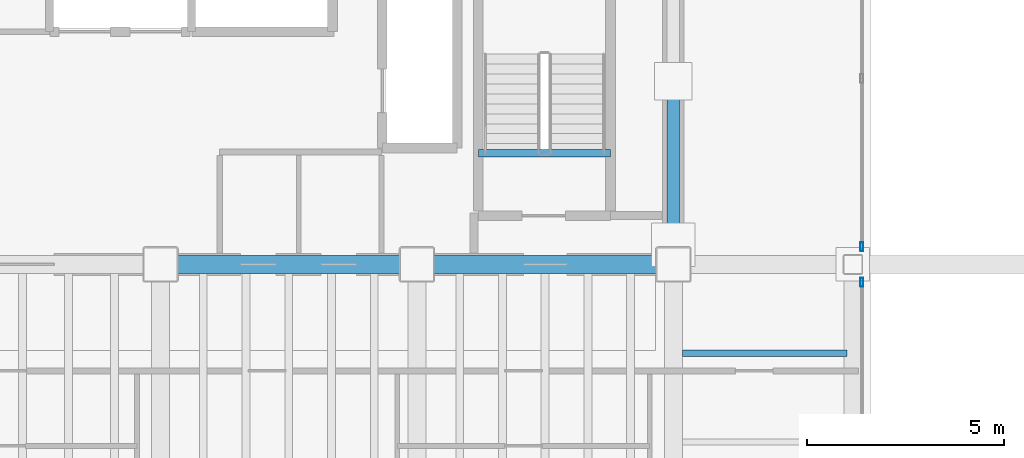
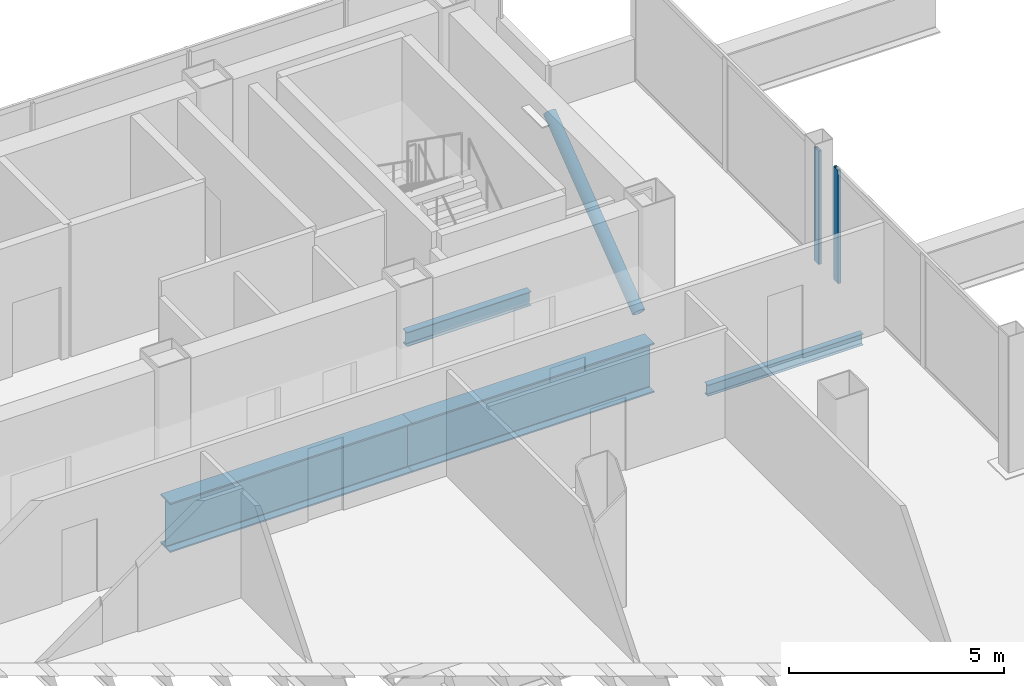
# One storey, part 18 of 24: 4 beams, 3 members, 2 elements without a shape of their own.
"""IFC4 building model written with IfcOpenShell, lengths in metres."""

import ifcopenshell
import ifcopenshell.guid

model = None  # the IFC model being written
_history = None  # IfcOwnerHistory: only IFC2X3 demands one
_inside = {}  # id of a spatial element -> (the spatial element, [elements in it])
_under = {}  # id of a project, library or spatial element -> (it, [spatial elements below it])
_declared = {}  # id of a project -> (the project, [libraries it declares])
_typed = {}  # id of a type object -> (the type object, [elements of that type])
_made_of = {}  # id of a material, layer set ... -> (it, [elements and type objects made of it])


def new_model(schema):
    """Start an empty IFC model of exactly this schema.

    Asked for "IFC4X3", IfcOpenShell would pick the latest addendum, in which some entities
    have other attributes; the version numbers below select the first issue.
    IFC2X3 requires an IfcOwnerHistory on every rooted entity: one is made here for all.
    """
    global model, _history
    if schema == "IFC4X3":
        model = ifcopenshell.file(schema_version=(4, 3, 0, 0))
    else:
        model = ifcopenshell.file(schema=schema)
    _inside.clear()
    _under.clear()
    _declared.clear()
    _typed.clear()
    _made_of.clear()
    _history = None
    if model.schema == "IFC2X3":
        org = make("IfcOrganization", Name="unknown")
        user = make(
            "IfcPersonAndOrganization",
            ThePerson=make("IfcPerson", FamilyName="unknown"),
            TheOrganization=org,
        )
        app = make(
            "IfcApplication",
            ApplicationDeveloper=org,
            Version="unknown",
            ApplicationFullName="unknown",
            ApplicationIdentifier="unknown",
        )
        _history = make(
            "IfcOwnerHistory",
            OwningUser=user,
            OwningApplication=app,
            ChangeAction="ADDED",
            CreationDate=0,
        )
    return model


def make(cls, **values):
    """One entity of the class cls with the attributes given. An attribute that is None is left unset."""
    return model.create_entity(
        cls, **{name: value for name, value in values.items() if value is not None}
    )


def rooted(cls, **values):
    """An entity with a GlobalId (a new one), such as an element, a storey or a relation."""
    return make(cls, GlobalId=ifcopenshell.guid.new(), OwnerHistory=_history, **values)


def si_unit(unit_type, name, prefix=None):
    """IfcSIUnit, for example si_unit("LENGTHUNIT", "METRE", prefix="MILLI")."""
    return make("IfcSIUnit", UnitType=unit_type, Prefix=prefix, Name=name)


def assignment(units):
    """IfcUnitAssignment: the units of a project."""
    return None if units is None else make("IfcUnitAssignment", Units=units)


def point(xyz):
    """IfcCartesianPoint."""
    return None if xyz is None else make("IfcCartesianPoint", Coordinates=xyz)


def direction(xyz):
    """IfcDirection."""
    return None if xyz is None else make("IfcDirection", DirectionRatios=xyz)


def frame(location, z_axis=None, x_axis=None):
    """IfcAxis2Placement3D, a coordinate frame: its origin and axes. An axis left out is left unset."""
    return make(
        "IfcAxis2Placement3D",
        Location=point(location),
        Axis=direction(z_axis),
        RefDirection=direction(x_axis),
    )


def frame_2d(location, x_axis=None):
    """IfcAxis2Placement2D, a coordinate frame in the plane: its origin and x axis."""
    return make(
        "IfcAxis2Placement2D", Location=point(location), RefDirection=direction(x_axis)
    )


def origin():
    """The frame at (0, 0, 0) with its axes left unset."""
    return frame((0.0, 0.0, 0.0))


def origin_2d():
    """The frame at (0, 0) in the plane with its x axis left unset."""
    return frame_2d((0.0, 0.0))


def place(relative_to, where):
    """IfcLocalPlacement: puts the frame where relative to a parent placement (None: the world)."""
    return make(
        "IfcLocalPlacement", PlacementRelTo=relative_to, RelativePlacement=where
    )


def context(
    kind, dimensions, precision=None, world=None, true_north=None, identifier=None
):
    """IfcGeometricRepresentationContext, for example the 3D "Model" context."""
    return make(
        "IfcGeometricRepresentationContext",
        ContextIdentifier=identifier,
        ContextType=kind,
        CoordinateSpaceDimension=dimensions,
        Precision=precision,
        WorldCoordinateSystem=world,
        TrueNorth=true_north,
    )


def subcontext(parent, identifier, kind, view, scale=None):
    """IfcGeometricRepresentationSubContext, for example "Body" below "Model"."""
    return make(
        "IfcGeometricRepresentationSubContext",
        ContextIdentifier=identifier,
        ContextType=kind,
        ParentContext=parent,
        TargetScale=scale,
        TargetView=view,
    )


def project(units=None, contexts=None):
    """IfcProject with its units and contexts."""
    return rooted(
        "IfcProject",
        Name="project",
        RepresentationContexts=contexts,
        UnitsInContext=assignment(units),
    )


def spatial(cls, under=None, at=None, **own):
    """A site, building, storey or space (cls), placed at a placement, below another one or the project."""
    s = rooted(cls, ObjectPlacement=at, **own)
    if under is not None:
        _under.setdefault(under.id(), (under, []))[1].append(s)
    return s


def profile(cls, at=None, kind="AREA", **sizes):
    """A parametric profile (cls). Its sizes go by their IFC names, for example OverallWidth=200.0."""
    return make(cls, ProfileType=kind, Position=at, **sizes)


def hollow_rectangle(**sizes):
    """IfcRectangleHollowProfileDef."""
    return profile("IfcRectangleHollowProfileDef", **sizes)


def hollow_circle(**sizes):
    """IfcCircleHollowProfileDef."""
    return profile("IfcCircleHollowProfileDef", **sizes)


def i_section(**sizes):
    """IfcIShapeProfileDef."""
    return profile("IfcIShapeProfileDef", **sizes)


def extrude(swept, where, along, depth):
    """IfcExtrudedAreaSolid: the profile swept, set in the frame where, extruded along a direction by depth."""
    return make(
        "IfcExtrudedAreaSolid",
        SweptArea=swept,
        Position=where,
        ExtrudedDirection=direction(along),
        Depth=depth,
    )


def shape(context_of_items, identifier, shape_type, items):
    """IfcShapeRepresentation: the items that make up one representation, for example the "Body"."""
    return make(
        "IfcShapeRepresentation",
        ContextOfItems=context_of_items,
        RepresentationIdentifier=identifier,
        RepresentationType=shape_type,
        Items=items,
    )


def material(Name=None, Category=None):
    """IfcMaterial."""
    return make("IfcMaterial", Name=Name, Category=Category)


def material_profile(
    of_material, cross_section, Name=None, Category=None, Priority=None
):
    """IfcMaterialProfile: a cross section and its material."""
    return make(
        "IfcMaterialProfile",
        Name=Name,
        Material=of_material,
        Profile=cross_section,
        Priority=Priority,
        Category=Category,
    )


def profile_set(profiles, Name=None, composite=None):
    """IfcMaterialProfileSet."""
    return make(
        "IfcMaterialProfileSet",
        Name=Name,
        MaterialProfiles=profiles,
        CompositeProfile=composite,
    )


def made_of(thing, what):
    """Note that an element or type object is made of a material, layer set ...; save() writes the relation."""
    if what is not None:
        _made_of.setdefault(what.id(), (what, []))[1].append(thing)
    return thing


def type_object(cls, material=None, **own):
    """A type object (cls), such as IfcWallType, which elements share."""
    return made_of(rooted(cls, **own), material)


def element(
    cls,
    number,
    at=None,
    inside=None,
    cuts=None,
    type_object=None,
    material=None,
    context=None,
    identifier="Body",
    shape_type=None,
    held_by="IfcProductDefinitionShape",
    body=None,
    shapes=None,
    **own,
):
    """One element of the class cls, such as IfcWall. Its Tag is "e" and its number.

    at: its placement. inside: the storey or other place that contains it. cuts: it is an
    opening in that element (IfcRelVoidsElement). A single representation is given by context,
    identifier, shape_type and body (its items); several are given by shapes. held_by: the class
    of the entity that holds the representations. save() writes the other relations.
    """
    e = rooted(cls, Tag="e%d" % number, ObjectPlacement=at, **own)
    if body is not None:
        shapes = [shape(context, identifier, shape_type, body)]
    if shapes is not None:
        e.Representation = make(held_by, Representations=shapes)
    if inside is not None:
        _inside.setdefault(inside.id(), (inside, []))[1].append(e)
    if cuts is not None:
        rooted(
            "IfcRelVoidsElement", RelatingBuildingElement=cuts, RelatedOpeningElement=e
        )
    if type_object is not None:
        _typed.setdefault(type_object.id(), (type_object, []))[1].append(e)
    return made_of(e, material)


def aggregate(whole, parts):
    """IfcRelAggregates: a whole, such as a stair, and the parts it consists of."""
    return rooted("IfcRelAggregates", RelatingObject=whole, RelatedObjects=parts)


def save(model, path):
    """Write the relations noted so far, then the file.

    IfcRelAggregates (storeys below a building ...), IfcRelContainedInSpatialStructure (elements
    in a storey), IfcRelDefinesByType, IfcRelAssociatesMaterial and IfcRelDeclares: one each for
    every whole, place, type object, material and project.
    """
    for whole, parts in _under.values():
        aggregate(whole, parts)
    for where, things in _inside.values():
        rooted(
            "IfcRelContainedInSpatialStructure",
            RelatedElements=things,
            RelatingStructure=where,
        )
    for kind, things in _typed.values():
        rooted("IfcRelDefinesByType", RelatedObjects=things, RelatingType=kind)
    for what, things in _made_of.values():
        rooted("IfcRelAssociatesMaterial", RelatedObjects=things, RelatingMaterial=what)
    for by, libraries in _declared.values():
        rooted("IfcRelDeclares", RelatingContext=by, RelatedDefinitions=libraries)
    model.write(path)


model = new_model("IFC4")

# Units and contexts
model_context = context("Model", 3, precision=1e-05, world=origin(), true_north=direction((0.0, 1.0)))
body_context = subcontext(model_context, "Body", "Model", "MODEL_VIEW")
ifc_project = project(units=[si_unit("LENGTHUNIT", "METRE"), si_unit("AREAUNIT", "SQUARE_METRE"), si_unit("VOLUMEUNIT", "CUBIC_METRE"), si_unit("PLANEANGLEUNIT", "RADIAN"), si_unit("MASSUNIT", "GRAM", prefix="KILO")], contexts=[model_context])

# Site, building, storey
site_placement = place(None, origin())
site = spatial("IfcSite", under=ifc_project, at=site_placement, CompositionType="ELEMENT")
building_placement = place(site_placement, origin())
building = spatial("IfcBuilding", under=site, at=building_placement, Name="Noeulbin Bourse Tower", CompositionType="ELEMENT")
storey_placement = place(building_placement, frame((0.0, 0.0, 114.89990234375)))
storey = spatial("IfcBuildingStorey", under=building, at=storey_placement, Name="L28", CompositionType="ELEMENT", Elevation=114.89990234375)

# Beams
ifc_material_1 = material(Name="Steel S355", Category="steel")
ifc_material_profile_1 = material_profile(ifc_material_1, i_section(OverallWidth=0.159912109375, OverallDepth=0.320068359375, WebThickness=0.006591796875, FlangeThickness=0.010009765625, FilletRadius=0.012939453125, at=origin_2d()), Name="H-320x160x6.5x10", Category="LoadBearing")
ifc_profile_set_1 = profile_set([ifc_material_profile_1], Name="Steel S355")
beam_type_1 = type_object("IfcBeamType", Name="BM-JST-320", PredefinedType="JOIST", material=ifc_profile_set_1)
beam_1_placement = place(storey_placement, frame((44.22509765625, 26.75, -0.39990234375), z_axis=(1.0, 0.0, 0.0), x_axis=(0.0, 1.0, 0.0)))
element("IfcBeam", 1, at=beam_1_placement, inside=storey, type_object=beam_type_1, Name="Wing Composite Joist L28-E52", PredefinedType="JOIST", context=body_context, shape_type="SweptSolid", body=[
    extrude(i_section(OverallWidth=0.159912109375, OverallDepth=0.320068359375, WebThickness=0.006591796875, FlangeThickness=0.010009765625, FilletRadius=0.012939453125, at=origin_2d()), origin(), (0.0, 0.0, 1.0), 4.1748046875),
])
ifc_material_profile_2 = material_profile(ifc_material_1, i_section(OverallWidth=0.199951171875, OverallDepth=0.39990234375, WebThickness=0.008056640625, FlangeThickness=0.012939453125, FilletRadius=0.01611328125, at=origin_2d()), Name="H-400x200x8x13", Category="LoadBearing")
ifc_profile_set_2 = profile_set([ifc_material_profile_2], Name="Steel S355")
beam_type_2 = type_object("IfcBeamType", Name="BM-SEC-400", PredefinedType="BEAM", material=ifc_profile_set_2)
beam_2_placement = place(storey_placement, frame((39.06005859375, 31.820068359375, -0.199951171875), z_axis=(1.0, 0.0, 0.0), x_axis=(0.0, 1.0, 0.0)))
element("IfcBeam", 2, at=beam_2_placement, inside=storey, type_object=beam_type_2, Name="Stair Threshold Trimmer Beam ST2-L28", PredefinedType="BEAM", context=body_context, shape_type="SweptSolid", body=[
    extrude(i_section(OverallWidth=0.199951171875, OverallDepth=0.39990234375, WebThickness=0.008056640625, FlangeThickness=0.012939453125, FilletRadius=0.01611328125, at=origin_2d()), origin(), (0.0, 0.0, 1.0), 3.33984375),
])
ifc_material_2 = material(Name="Steel S460", Category="steel")
ifc_material_profile_3 = material_profile(ifc_material_2, i_section(OverallWidth=0.449951171875, OverallDepth=1.39990234375, WebThickness=0.02392578125, FlangeThickness=0.0400390625, FilletRadius=0.02392578125, at=origin_2d()), Name="PG-1400x450x24x40", Category="LoadBearing")
ifc_profile_set_3 = profile_set([ifc_material_profile_3], Name="Steel S460")
beam_type_3 = type_object("IfcBeamType", Name="BM-TRF-1400", PredefinedType="USERDEFINED", material=ifc_profile_set_3)
for number, where, z_axis, x_axis, name in (
    (3, (31.0, 29.0, -0.93994140625), (1.0, 0.0, 0.0), (0.0, 1.0, 0.0), "Tower Primary Girder EW L28-2.6"),
    (4, (37.5, 29.0, -0.93994140625), (1.0, 0.0, 0.0), (0.0, 1.0, 0.0), "Tower Primary Girder EW L28-2.7"),
):
    element("IfcBeam", number, at=place(storey_placement, frame(where, z_axis=z_axis, x_axis=x_axis)), inside=storey, type_object=beam_type_3, Name=name, ObjectType="GIRDER", PredefinedType="USERDEFINED", context=body_context, shape_type="SweptSolid", body=[
        extrude(i_section(OverallWidth=0.449951171875, OverallDepth=1.39990234375, WebThickness=0.02392578125, FlangeThickness=0.0400390625, FilletRadius=0.02392578125, at=origin_2d()), origin(), (0.0, 0.0, 1.0), 6.5),
    ])

# Curtain wall, member
ifc_material_3 = material(Name="Dark Tinted Triple Glazing", Category="glass")
curtain_wall_type = type_object("IfcCurtainWallType", Name="CW-SYS-3", PredefinedType="NOTDEFINED", material=ifc_material_3)
curtain_wall_1_placement = place(storey_placement, origin())
curtain_wall_1 = element("IfcCurtainWall", 5, at=curtain_wall_1_placement, inside=storey, type_object=curtain_wall_type, Name="Unitised Curtain Wall CW-L28-E-S2", PredefinedType="NOTDEFINED")
ifc_material_4 = material(Name="Anodised Aluminium 6063-T6", Category="aluminium")
ifc_material_profile_4 = material_profile(ifc_material_4, hollow_rectangle(XDim=0.074951171875, YDim=0.219970703125, WallThickness=0.0048828125, InnerFilletRadius=0.00244140625, OuterFilletRadius=0.0048828125, at=origin_2d()), Name="ALU-MULL-75x220x5", Category="LoadBearing")
ifc_profile_set_4 = profile_set([ifc_material_profile_4], Name="Anodised Aluminium 6063-T6")
member_type_1 = type_object("IfcMemberType", Name="CW-SYS-3-MUL", PredefinedType="MULLION", material=ifc_profile_set_4)
member_1_placement = place(storey_placement, frame((48.780029296875, 28.550048828125, -0.02001953125), z_axis=(0.0, 0.0, 1.0), x_axis=(1.0, 0.0, 0.0)))
member_1 = element("IfcMember", 6, at=member_1_placement, type_object=member_type_1, Name="Curtain Wall Mullion CW-L28-E-S2-M02", PredefinedType="MULLION", context=body_context, shape_type="SweptSolid", body=[
    extrude(hollow_rectangle(XDim=0.074951171875, YDim=0.219970703125, WallThickness=0.0048828125, InnerFilletRadius=0.00244140625, OuterFilletRadius=0.0048828125, at=origin_2d()), origin(), (0.0, 0.0, 1.0), 3.22021484375),
])
aggregate(curtain_wall_1, [member_1])

curtain_wall_2_placement = place(storey_placement, origin())
curtain_wall_2 = element("IfcCurtainWall", 7, at=curtain_wall_2_placement, inside=storey, type_object=curtain_wall_type, Name="Unitised Curtain Wall CW-L28-E-S3", PredefinedType="NOTDEFINED")
member_2_placement = place(storey_placement, frame((48.780029296875, 29.449951171875, -0.02001953125), z_axis=(0.0, 0.0, 1.0), x_axis=(1.0, 0.0, 0.0)))
member_2 = element("IfcMember", 8, at=member_2_placement, type_object=member_type_1, Name="Curtain Wall Mullion CW-L28-E-S3-M00", PredefinedType="MULLION", context=body_context, shape_type="SweptSolid", body=[
    extrude(hollow_rectangle(XDim=0.074951171875, YDim=0.219970703125, WallThickness=0.0048828125, InnerFilletRadius=0.00244140625, OuterFilletRadius=0.0048828125, at=origin_2d()), origin(), (0.0, 0.0, 1.0), 3.22021484375),
])
aggregate(curtain_wall_2, [member_2])

# Member
ifc_material_profile_5 = material_profile(ifc_material_1, hollow_circle(Radius=0.1591796875, WallThickness=0.01025390625, at=origin_2d()), Name="CHS-318.5x10.3", Category="LoadBearing")
ifc_profile_set_5 = profile_set([ifc_material_profile_5], Name="Steel S355")
member_type_2 = type_object("IfcMemberType", Name="MEM-EXO-318", PredefinedType="BRACE", material=ifc_profile_set_5)
member_3_placement = place(storey_placement, frame((44.0, 29.5, 0.2001953125), z_axis=(0.0, 0.794684163041, 0.607023130541), x_axis=(-1.0, 0.0, 0.0)))
element("IfcMember", 9, at=member_3_placement, inside=storey, type_object=member_type_2, Name="Core Flank Chevron Brace XT-L28-E1", PredefinedType="BRACE", context=body_context, shape_type="SweptSolid", body=[
    extrude(hollow_circle(Radius=0.1591796875, WallThickness=0.01025390625, at=origin_2d()), origin(), (0.0, 0.0, 1.0), 5.22216796875),
])

save(model, "model.ifc")
